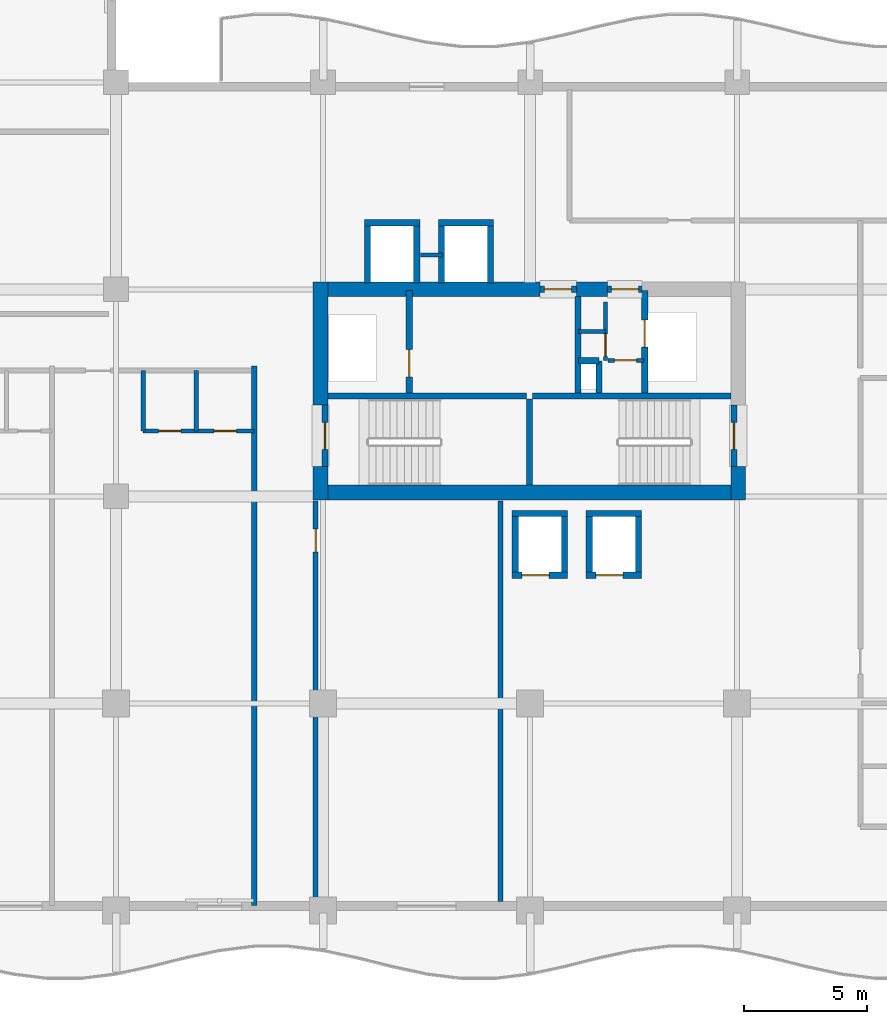
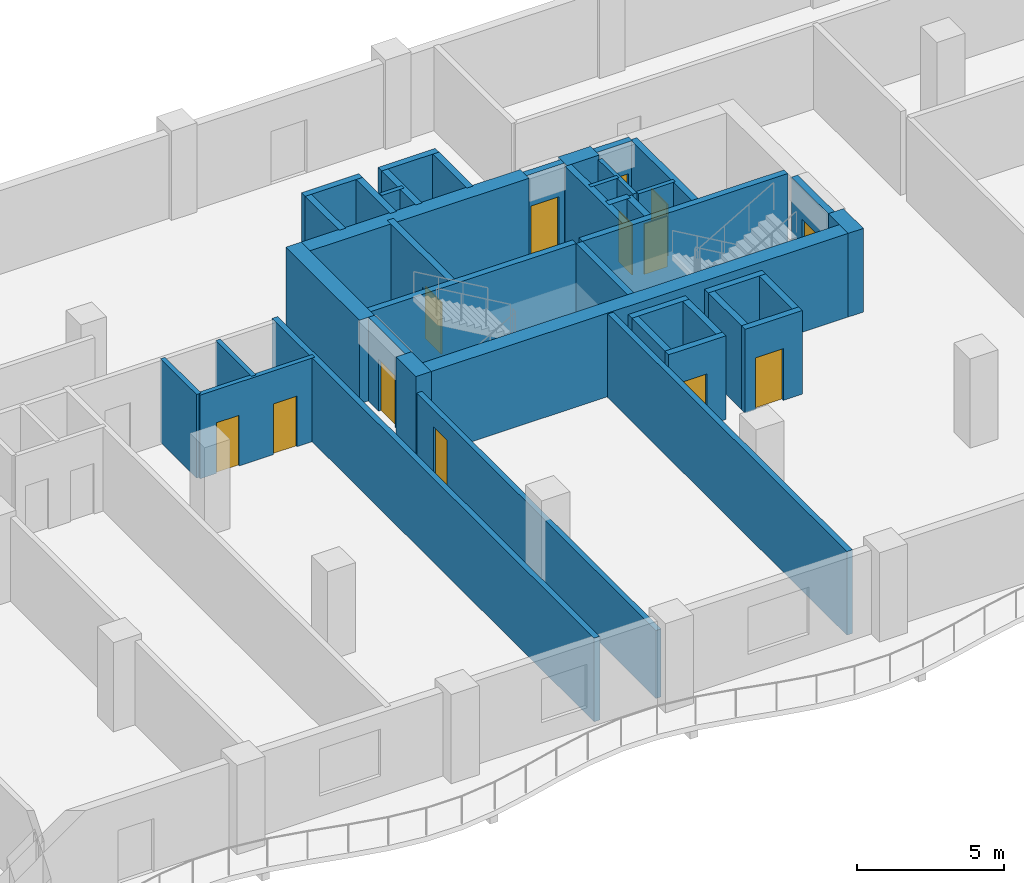
# One storey, part 5 of 15: 42 walls, 13 doors, 13 openings.
"""IFC4 building model written with IfcOpenShell, lengths in metres."""

from ifc_helpers import new_model, si_unit, direction, frame, frame_2d, origin, place, context, subcontext, project, spatial, rectangle, extrude, material, layer, layer_set, type_object, element, fill, save


model = new_model("IFC4")

# Units and contexts
model_context = context("Model", 3, precision=1e-05, world=origin(), true_north=direction((0.0, 1.0)))
body_context = subcontext(model_context, "Body", "Model", "MODEL_VIEW")
ifc_project = project(units=[si_unit("LENGTHUNIT", "METRE"), si_unit("AREAUNIT", "SQUARE_METRE"), si_unit("VOLUMEUNIT", "CUBIC_METRE"), si_unit("PLANEANGLEUNIT", "RADIAN"), si_unit("MASSUNIT", "GRAM", prefix="KILO")], contexts=[model_context])

# Site, building, storey
site_placement = place(None, origin())
site = spatial("IfcSite", under=ifc_project, at=site_placement, CompositionType="ELEMENT")
building_placement = place(site_placement, origin())
building = spatial("IfcBuilding", under=site, at=building_placement, Name="Koriwani Terraces Tower", CompositionType="ELEMENT")
storey_placement = place(building_placement, frame((0.0, 0.0, 193.89990234375)))
storey = spatial("IfcBuildingStorey", under=building, at=storey_placement, Name="L47", CompositionType="ELEMENT", Elevation=193.89990234375)

# Walls
ifc_material_1 = material(Name="Concrete C60/75", Category="concrete")
ifc_layer_1 = layer(ifc_material_1, 0.60009765625, Name="Concrete C60/75")
ifc_layer_set_1 = layer_set([ifc_layer_1], Name="Concrete C60/75")
wall_type_1 = type_object("IfcWallType", Name="WALL_CORE_RC_600", PredefinedType="SHEAR", material=ifc_layer_set_1)
wall_1_placement = place(storey_placement, frame((41.89990234375, 16.64990234375, 0.0), z_axis=(0.0, 0.0, 1.0), x_axis=(0.0, 1.0, 0.0)))
element("IfcWall", 1, at=wall_1_placement, inside=storey, type_object=wall_type_1, Name="L47 East Split Core Shear Wall W1", PredefinedType="SHEAR", context=body_context, shape_type="SweptSolid", body=[
    extrude(rectangle(XDim=1.35009765625, YDim=0.60009765625, at=frame_2d((0.675048828125, 0.0))), origin(), (0.0, 0.0, 1.0), 3.47021484375),
])
wall_2_placement = place(storey_placement, frame((41.89990234375, 20.5, 0.0), z_axis=(0.0, 0.0, 1.0), x_axis=(0.0, 1.0, 0.0)))
element("IfcWall", 2, at=wall_2_placement, inside=storey, type_object=wall_type_1, Name="L47 East Split Core Shear Wall W2", PredefinedType="SHEAR", context=body_context, shape_type="SweptSolid", body=[
    extrude(rectangle(XDim=5.0, YDim=0.60009765625, at=frame_2d((2.5, 0.0))), origin(), (0.0, 0.0, 1.0), 3.47021484375),
])
wall_3_placement = place(storey_placement, frame((58.85009765625, 16.64990234375, 0.0), z_axis=(0.0, 0.0, 1.0), x_axis=(0.0, 1.0, 0.0)))
element("IfcWall", 3, at=wall_3_placement, inside=storey, type_object=wall_type_1, Name="L47 East Split Core Shear Wall E1", PredefinedType="SHEAR", context=body_context, shape_type="SweptSolid", body=[
    extrude(rectangle(XDim=1.35009765625, YDim=0.60009765625, at=frame_2d((0.675048828125, 0.0))), origin(), (0.0, 0.0, 1.0), 3.47021484375),
])
wall_4_placement = place(storey_placement, frame((42.199951171875, 16.949951171875, 0.0), z_axis=(0.0, 0.0, 1.0), x_axis=(1.0, 0.0, 0.0)))
element("IfcWall", 4, at=wall_4_placement, inside=storey, type_object=wall_type_1, Name="L47 East Split Core Shear Wall S1", PredefinedType="SHEAR", context=body_context, shape_type="SweptSolid", body=[
    extrude(rectangle(XDim=16.35009765625, YDim=0.60009765625, at=frame_2d((8.175048828125, 0.0))), origin(), (0.0, 0.0, 1.0), 3.47021484375),
])
wall_5_placement = place(storey_placement, frame((42.199951171875, 25.199951171875, 0.0), z_axis=(0.0, 0.0, 1.0), x_axis=(1.0, 0.0, 0.0)))
element("IfcWall", 5, at=wall_5_placement, inside=storey, type_object=wall_type_1, Name="L47 East Split Core Shear Wall N1", PredefinedType="SHEAR", context=body_context, shape_type="SweptSolid", body=[
    extrude(rectangle(XDim=8.60009765625, YDim=0.60009765625, at=frame_2d((4.300048828125, 0.0))), origin(), (0.0, 0.0, 1.0), 3.47021484375),
])
wall_6_placement = place(storey_placement, frame((52.280029296875, 25.199951171875, 0.0), z_axis=(0.0, 0.0, 1.0), x_axis=(1.0, 0.0, 0.0)))
element("IfcWall", 6, at=wall_6_placement, inside=storey, type_object=wall_type_1, Name="L47 East Split Core Shear Wall N2", PredefinedType="SHEAR", context=body_context, shape_type="SweptSolid", body=[
    extrude(rectangle(XDim=1.27001953125, YDim=0.60009765625, at=frame_2d((0.635009765625, 0.0))), origin(), (0.0, 0.0, 1.0), 3.47021484375),
])

# Wall, opening, door
ifc_material_2 = material(Name="Autoclaved Cellular Concrete Blockwork", Category="masonry")
ifc_layer_2 = layer(ifc_material_2, 0.199951171875, Name="Autoclaved Cellular Concrete Blockwork")
ifc_layer_set_2 = layer_set([ifc_layer_2], Name="Autoclaved Cellular Concrete Blockwork")
wall_type_2 = type_object("IfcWallType", Name="WALL_CORRIDOR_200", PredefinedType="PARTITIONING", material=ifc_layer_set_2)
wall_7_placement = place(storey_placement, frame((41.699951171875, 0.35009765625, 0.0), z_axis=(0.0, 0.0, 1.0), x_axis=(0.0, 1.0, 0.0)))
wall_7 = element("IfcWall", 7, at=wall_7_placement, inside=storey, type_object=wall_type_2, Name="L47 Interior Wall WREC-EW-L47", PredefinedType="PARTITIONING", context=body_context, shape_type="SweptSolid", body=[
    extrude(rectangle(XDim=16.25, YDim=0.199951171875, at=frame_2d((8.125, 0.0))), origin(), (0.0, 0.0, 1.0), 2.820068359375),
])
opening_1_placement = place(wall_7_placement, frame((14.199951171875, 0.0, 0.0)))
opening_1 = element("IfcOpeningElement", 8, at=opening_1_placement, cuts=wall_7, Name="Opening D-06", PredefinedType="OPENING", context=body_context, shape_type="SweptSolid", body=[
    extrude(rectangle(XDim=0.919921875, YDim=2.10009765625, at=frame_2d((0.4599609375, 1.050048828125))), frame((0.0, 0.10986328125, 0.0), z_axis=(0.0, -1.0, 0.0), x_axis=(1.0, 0.0, 0.0)), (0.0, 0.0, 1.0), 0.219970703125),
])
ifc_material_3 = material(Name="Architectural Oak Fire Door", Category="wood")
door_type_1 = type_object("IfcDoorType", Name="DOOR_ROOM_INT_920X2100", OperationType="NOTDEFINED", PredefinedType="DOOR", material=ifc_material_3)
door_1_placement = place(opening_1_placement, origin())
door_1 = element("IfcDoor", 9, at=door_1_placement, inside=storey, type_object=door_type_1, Name="L47 Resident Co-Working Study Door", OperationType="SINGLE_SWING_RIGHT", OverallHeight=2.10009765625, OverallWidth=0.919921875, PredefinedType="DOOR", context=body_context, shape_type="SweptSolid", body=[
    extrude(rectangle(XDim=0.919921875, YDim=2.10009765625, at=frame_2d((0.4599609375, 1.050048828125))), frame((0.0, 0.02490234375, 0.0), z_axis=(0.0, -1.0, 0.0), x_axis=(1.0, 0.0, 0.0)), (0.0, 0.0, 1.0), 0.050048828125),
])
fill(opening_1, door_1)

# Walls
ifc_layer_3 = layer(ifc_material_2, 0.219970703125, Name="Autoclaved Cellular Concrete Blockwork")
ifc_layer_set_3 = layer_set([ifc_layer_3], Name="Autoclaved Cellular Concrete Blockwork")
wall_type_3 = type_object("IfcWallType", Name="WALL_DEMISING_220", PredefinedType="PARTITIONING", material=ifc_layer_set_3)
wall_8_placement = place(storey_placement, frame((49.199951171875, 0.35009765625, 0.0), z_axis=(0.0, 0.0, 1.0), x_axis=(0.0, 1.0, 0.0)))
element("IfcWall", 10, at=wall_8_placement, inside=storey, type_object=wall_type_3, Name="L47 Interior Wall WREC-EE-L47", PredefinedType="PARTITIONING", context=body_context, shape_type="SweptSolid", body=[
    extrude(rectangle(XDim=16.25, YDim=0.219970703125, at=frame_2d((8.125, 0.0))), origin(), (0.0, 0.0, 1.0), 3.47021484375),
])
wall_9_placement = place(storey_placement, frame((39.199951171875, 0.199951171875, 0.0), z_axis=(0.0, 0.0, 1.0), x_axis=(0.0, 1.0, 0.0)))
element("IfcWall", 11, at=wall_9_placement, inside=storey, type_object=wall_type_3, Name="L47 Interior Wall WRDEME-L47-SW", PredefinedType="PARTITIONING", context=body_context, shape_type="SweptSolid", body=[
    extrude(rectangle(XDim=21.880126953125, YDim=0.219970703125, at=frame_2d((10.93994140625, 0.0))), origin(), (0.0, 0.0, 1.0), 3.47021484375),
])

# Wall, openings, doors
ifc_material_4 = material(Name="Fire-Rated Acoustic Gypsum Partition", Category="masonry")
ifc_layer_4 = layer(ifc_material_4, 0.179931640625, Name="Fire-Rated Acoustic Gypsum Partition")
ifc_layer_set_4 = layer_set([ifc_layer_4], Name="Fire-Rated Acoustic Gypsum Partition")
wall_type_4 = type_object("IfcWallType", Name="WALL_PLUMBING_180", PredefinedType="PLUMBINGWALL", material=ifc_layer_set_4)
wall_10_placement = place(storey_placement, frame((34.699951171875, 19.449951171875, 0.0), z_axis=(0.0, 0.0, 1.0), x_axis=(1.0, 0.0, 0.0)))
wall_10 = element("IfcWall", 12, at=wall_10_placement, inside=storey, type_object=wall_type_4, Name="L47 Interior Wall WRSVC-L47-SW-4", PredefinedType="PLUMBINGWALL", context=body_context, shape_type="SweptSolid", body=[
    extrude(rectangle(XDim=4.5, YDim=0.179931640625, at=frame_2d((2.25, 0.0))), origin(), (0.0, 0.0, 1.0), 3.47021484375),
])
opening_2_placement = place(wall_10_placement, frame((0.6298828125, 0.0, 0.0)))
opening_2 = element("IfcOpeningElement", 13, at=opening_2_placement, cuts=wall_10, Name="Opening D-07", PredefinedType="OPENING", context=body_context, shape_type="SweptSolid", body=[
    extrude(rectangle(XDim=0.89990234375, YDim=2.10009765625, at=frame_2d((0.449951171875, 1.050048828125))), frame((0.0, 0.10009765625, 0.0), z_axis=(0.0, -1.0, 0.0), x_axis=(1.0, 0.0, 0.0)), (0.0, 0.0, 1.0), 0.199951171875),
])
opening_3_placement = place(wall_10_placement, frame((2.8701171875, 0.0, 0.0)))
opening_3 = element("IfcOpeningElement", 14, at=opening_3_placement, cuts=wall_10, Name="Opening D-06", PredefinedType="OPENING", context=body_context, shape_type="SweptSolid", body=[
    extrude(rectangle(XDim=0.919921875, YDim=2.10009765625, at=frame_2d((0.4599609375, 1.050048828125))), frame((0.0, 0.10009765625, 0.0), z_axis=(0.0, -1.0, 0.0), x_axis=(1.0, 0.0, 0.0)), (0.0, 0.0, 1.0), 0.199951171875),
])
door_type_2 = type_object("IfcDoorType", Name="DOOR_BATH_INT_900X2100", OperationType="NOTDEFINED", PredefinedType="DOOR", material=ifc_material_3)
door_2_placement = place(opening_2_placement, origin())
door_2 = element("IfcDoor", 15, at=door_2_placement, inside=storey, type_object=door_type_2, Name="Apartment 47SW5 Bathroom Door", OperationType="SINGLE_SWING_RIGHT", OverallHeight=2.10009765625, OverallWidth=0.89990234375, PredefinedType="DOOR", context=body_context, shape_type="SweptSolid", body=[
    extrude(rectangle(XDim=0.89990234375, YDim=2.10009765625, at=frame_2d((0.449951171875, 1.050048828125))), frame((0.0, 0.02490234375, 0.0), z_axis=(0.0, -1.0, 0.0), x_axis=(1.0, 0.0, 0.0)), (0.0, 0.0, 1.0), 0.050048828125),
])
fill(opening_2, door_2)
door_3_placement = place(opening_3_placement, origin())
door_3 = element("IfcDoor", 16, at=door_3_placement, inside=storey, type_object=door_type_1, Name="Apartment 47SW5 Kitchen Door", OperationType="SINGLE_SWING_LEFT", OverallHeight=2.10009765625, OverallWidth=0.919921875, PredefinedType="DOOR", context=body_context, shape_type="SweptSolid", body=[
    extrude(rectangle(XDim=0.919921875, YDim=2.10009765625, at=frame_2d((0.4599609375, 1.050048828125))), frame((0.0, 0.02490234375, 0.0), z_axis=(0.0, -1.0, 0.0), x_axis=(1.0, 0.0, 0.0)), (0.0, 0.0, 1.0), 0.050048828125),
])
fill(opening_3, door_3)

# Walls
for number, where, z_axis, x_axis, name in (
    (17, (34.699951171875, 19.449951171875, 0.0), (0.0, 0.0, 1.0), (0.0, 1.0, 0.0), "L47 Interior Wall WRSVCS-L47-SW-4"),
    (18, (36.860107421875, 19.449951171875, 0.0), (0.0, 0.0, 1.0), (0.0, 1.0, 0.0), "L47 Interior Wall WRSVCM-L47-SW-4"),
):
    element("IfcWall", number, at=place(storey_placement, frame(where, z_axis=z_axis, x_axis=x_axis)), inside=storey, type_object=wall_type_4, Name=name, PredefinedType="PLUMBINGWALL", context=body_context, shape_type="SweptSolid", body=[
        extrude(rectangle(XDim=2.449951171875, YDim=0.179931640625, at=frame_2d((1.22509765625, 0.0))), origin(), (0.0, 0.0, 1.0), 3.47021484375),
    ])
ifc_material_5 = material(Name="Concrete C40/50", Category="concrete")
ifc_layer_5 = layer(ifc_material_5, 0.25, Name="Concrete C40/50")
ifc_layer_set_5 = layer_set([ifc_layer_5], Name="Concrete C40/50")
wall_type_5 = type_object("IfcWallType", Name="WALL_SHAFT_RATED_250", PredefinedType="SOLIDWALL", material=ifc_layer_set_5)
for number, where, z_axis, x_axis, name in (
    (19, (42.199951171875, 20.875, 0.0), (0.0, 0.0, 1.0), (1.0, 0.0, 0.0), "L47 East Split Core Web Wall MID1"),
    (20, (50.5, 20.875, 0.0), (0.0, 0.0, 1.0), (1.0, 0.0, 0.0), "L47 East Split Core Web Wall MID2"),
):
    element("IfcWall", number, at=place(storey_placement, frame(where, z_axis=z_axis, x_axis=x_axis)), inside=storey, type_object=wall_type_5, Name=name, PredefinedType="SOLIDWALL", context=body_context, shape_type="SweptSolid", body=[
        extrude(rectangle(XDim=8.050048828125, YDim=0.25, at=frame_2d((4.02490234375, 0.0))), origin(), (0.0, 0.0, 1.0), 3.47021484375),
    ])
wall_11_placement = place(storey_placement, frame((50.375, 17.25, 0.0), z_axis=(0.0, 0.0, 1.0), x_axis=(0.0, 1.0, 0.0)))
element("IfcWall", 21, at=wall_11_placement, inside=storey, type_object=wall_type_5, Name="L47 East Split Core Stair Dividing Wall", PredefinedType="SOLIDWALL", context=body_context, shape_type="SweptSolid", body=[
    extrude(rectangle(XDim=3.5, YDim=0.25, at=frame_2d((1.75, 0.0))), origin(), (0.0, 0.0, 1.0), 3.47021484375),
])

# Wall, opening, door
wall_12_placement = place(storey_placement, frame((42.074951171875, 18.0, 0.0), z_axis=(0.0, 0.0, 1.0), x_axis=(0.0, 1.0, 0.0)))
wall_12 = element("IfcWall", 22, at=wall_12_placement, inside=storey, type_object=wall_type_5, Name="L47 Interior Wall WIN-CE-L47-STW", PredefinedType="SOLIDWALL", context=body_context, shape_type="SweptSolid", body=[
    extrude(rectangle(XDim=2.5, YDim=0.25, at=frame_2d((1.25, 0.0))), origin(), (0.0, 0.0, 1.0), 3.47021484375),
])
opening_4_placement = place(wall_12_placement, frame((0.699951171875, 0.0, 0.0)))
opening_4 = element("IfcOpeningElement", 23, at=opening_4_placement, cuts=wall_12, Name="Opening D-03", PredefinedType="OPENING", context=body_context, shape_type="SweptSolid", body=[
    extrude(rectangle(XDim=1.10009765625, YDim=2.14990234375, at=frame_2d((0.550048828125, 1.074951171875))), frame((0.0, 0.135009765625, 0.0), z_axis=(0.0, -1.0, 0.0), x_axis=(1.0, 0.0, 0.0)), (0.0, 0.0, 1.0), 0.27001953125),
])
ifc_material_6 = material(Name="Steel ASTM A572 Grade 50", Category="steel")
door_type_3 = type_object("IfcDoorType", Name="DOOR_STAIR_FIRE_1100X2150", OperationType="NOTDEFINED", PredefinedType="DOOR", material=ifc_material_6)
door_4_placement = place(opening_4_placement, origin())
door_4 = element("IfcDoor", 24, at=door_4_placement, inside=storey, type_object=door_type_3, Name="L47 Exit Stair ST-E1 Door", OperationType="SINGLE_SWING_RIGHT", OverallHeight=2.14990234375, OverallWidth=1.10009765625, PredefinedType="DOOR", context=body_context, shape_type="SweptSolid", body=[
    extrude(rectangle(XDim=1.10009765625, YDim=2.14990234375, at=frame_2d((0.550048828125, 1.074951171875))), frame((0.0, 0.02490234375, 0.0), z_axis=(0.0, -1.0, 0.0), x_axis=(1.0, 0.0, 0.0)), (0.0, 0.0, 1.0), 0.050048828125),
])
fill(opening_4, door_4)

wall_13_placement = place(storey_placement, frame((58.675048828125, 18.0, 0.0), z_axis=(0.0, 0.0, 1.0), x_axis=(0.0, 1.0, 0.0)))
wall_13 = element("IfcWall", 25, at=wall_13_placement, inside=storey, type_object=wall_type_5, Name="L47 Interior Wall WIN-CE-L47-STE", PredefinedType="SOLIDWALL", context=body_context, shape_type="SweptSolid", body=[
    extrude(rectangle(XDim=2.5, YDim=0.25, at=frame_2d((1.25, 0.0))), origin(), (0.0, 0.0, 1.0), 3.47021484375),
])
opening_5_placement = place(wall_13_placement, frame((0.699951171875, 0.0, 0.0)))
opening_5 = element("IfcOpeningElement", 26, at=opening_5_placement, cuts=wall_13, Name="Opening D-03", PredefinedType="OPENING", context=body_context, shape_type="SweptSolid", body=[
    extrude(rectangle(XDim=1.10009765625, YDim=2.14990234375, at=frame_2d((0.550048828125, 1.074951171875))), frame((0.0, 0.135009765625, 0.0), z_axis=(0.0, -1.0, 0.0), x_axis=(1.0, 0.0, 0.0)), (0.0, 0.0, 1.0), 0.27001953125),
])
door_5_placement = place(opening_5_placement, origin())
door_5 = element("IfcDoor", 27, at=door_5_placement, inside=storey, type_object=door_type_3, Name="L47 Exit Stair ST-E2 Door", OperationType="SINGLE_SWING_LEFT", OverallHeight=2.14990234375, OverallWidth=1.10009765625, PredefinedType="DOOR", context=body_context, shape_type="SweptSolid", body=[
    extrude(rectangle(XDim=1.10009765625, YDim=2.14990234375, at=frame_2d((0.550048828125, 1.074951171875))), frame((0.0, 0.02490234375, 0.0), z_axis=(0.0, -1.0, 0.0), x_axis=(1.0, 0.0, 0.0)), (0.0, 0.0, 1.0), 0.050048828125),
])
fill(opening_5, door_5)

wall_14_placement = place(storey_placement, frame((45.5, 21.0, 0.0), z_axis=(0.0, 0.0, 1.0), x_axis=(0.0, 1.0, 0.0)))
wall_14 = element("IfcWall", 28, at=wall_14_placement, inside=storey, type_object=wall_type_5, Name="L47 Interior Wall WIN-CE-L47-FE", PredefinedType="SOLIDWALL", context=body_context, shape_type="SweptSolid", body=[
    extrude(rectangle(XDim=4.14990234375, YDim=0.25, at=frame_2d((2.074951171875, 0.0))), origin(), (0.0, 0.0, 1.0), 3.47021484375),
])
opening_6_placement = place(wall_14_placement, frame((0.64990234375, 0.0, 0.0)))
opening_6 = element("IfcOpeningElement", 29, at=opening_6_placement, cuts=wall_14, Name="Opening LD-01", PredefinedType="OPENING", context=body_context, shape_type="SweptSolid", body=[
    extrude(rectangle(XDim=1.10009765625, YDim=2.14990234375, at=frame_2d((0.550048828125, 1.074951171875))), frame((0.0, 0.135009765625, 0.0), z_axis=(0.0, -1.0, 0.0), x_axis=(1.0, 0.0, 0.0)), (0.0, 0.0, 1.0), 0.27001953125),
])
door_type_4 = type_object("IfcDoorType", Name="DOOR_LIFT_LANDING_1100X2200", OperationType="NOTDEFINED", PredefinedType="DOOR", material=ifc_material_6)
door_6_placement = place(opening_6_placement, origin())
door_6 = element("IfcDoor", 30, at=door_6_placement, inside=storey, type_object=door_type_4, Name="L47 Firefighting Lift FE-02 Landing Door", OperationType="SLIDING_TO_LEFT", OverallHeight=2.14990234375, OverallWidth=1.10009765625, PredefinedType="DOOR", context=body_context, shape_type="SweptSolid", body=[
    extrude(rectangle(XDim=1.10009765625, YDim=2.14990234375, at=frame_2d((0.550048828125, 1.074951171875))), frame((0.0, 0.02490234375, 0.0), z_axis=(0.0, -1.0, 0.0), x_axis=(1.0, 0.0, 0.0)), (0.0, 0.0, 1.0), 0.050048828125),
])
fill(opening_6, door_6)

wall_15_placement = place(storey_placement, frame((50.800048828125, 25.199951171875, 0.0), z_axis=(0.0, 0.0, 1.0), x_axis=(1.0, 0.0, 0.0)))
wall_15 = element("IfcWall", 31, at=wall_15_placement, inside=storey, type_object=wall_type_5, Name="L47 Interior Wall WIN-CE-L47-NP", PredefinedType="SOLIDWALL", context=body_context, shape_type="SweptSolid", body=[
    extrude(rectangle(XDim=1.47998046875, YDim=0.25, at=frame_2d((0.739990234375, 0.0))), origin(), (0.0, 0.0, 1.0), 3.47021484375),
])
opening_7_placement = place(wall_15_placement, frame((0.179931640625, 0.0, 0.0)))
opening_7 = element("IfcOpeningElement", 32, at=opening_7_placement, cuts=wall_15, Name="Opening D-03", PredefinedType="OPENING", context=body_context, shape_type="SweptSolid", body=[
    extrude(rectangle(XDim=1.10009765625, YDim=2.14990234375, at=frame_2d((0.550048828125, 1.074951171875))), frame((0.0, 0.135009765625, 0.0), z_axis=(0.0, -1.0, 0.0), x_axis=(1.0, 0.0, 0.0)), (0.0, 0.0, 1.0), 0.27001953125),
])
door_7_placement = place(opening_7_placement, origin())
door_7 = element("IfcDoor", 33, at=door_7_placement, inside=storey, type_object=door_type_3, Name="L47 East Firefighting Lobby Door", OperationType="SINGLE_SWING_RIGHT", OverallHeight=2.14990234375, OverallWidth=1.10009765625, PredefinedType="DOOR", context=body_context, shape_type="SweptSolid", body=[
    extrude(rectangle(XDim=1.10009765625, YDim=2.14990234375, at=frame_2d((0.550048828125, 1.074951171875))), frame((0.0, 0.02490234375, 0.0), z_axis=(0.0, -1.0, 0.0), x_axis=(1.0, 0.0, 0.0)), (0.0, 0.0, 1.0), 0.050048828125),
])
fill(opening_7, door_7)

# Wall
wall_16_placement = place(storey_placement, frame((52.340087890625, 21.0, 0.0), z_axis=(0.0, 0.0, 1.0), x_axis=(0.0, 1.0, 0.0)))
element("IfcWall", 34, at=wall_16_placement, inside=storey, type_object=wall_type_5, Name="L47 Interior Wall WIN-CE-L47-FFE", PredefinedType="SOLIDWALL", context=body_context, shape_type="SweptSolid", body=[
    extrude(rectangle(XDim=3.89990234375, YDim=0.25, at=frame_2d((1.949951171875, 0.0))), origin(), (0.0, 0.0, 1.0), 3.47021484375),
])

# Wall, opening, door
wall_17_placement = place(storey_placement, frame((55.050048828125, 21.0, 0.0), z_axis=(0.0, 0.0, 1.0), x_axis=(0.0, 1.0, 0.0)))
wall_17 = element("IfcWall", 35, at=wall_17_placement, inside=storey, type_object=wall_type_5, Name="L47 Interior Wall WIN-CE-L47-SE", PredefinedType="SOLIDWALL", context=body_context, shape_type="SweptSolid", body=[
    extrude(rectangle(XDim=4.14990234375, YDim=0.25, at=frame_2d((2.074951171875, 0.0))), origin(), (0.0, 0.0, 1.0), 3.47021484375),
])
opening_8_placement = place(wall_17_placement, frame((1.85009765625, 0.0, 0.0)))
opening_8 = element("IfcOpeningElement", 36, at=opening_8_placement, cuts=wall_17, Name="Opening LD-01", PredefinedType="OPENING", context=body_context, shape_type="SweptSolid", body=[
    extrude(rectangle(XDim=1.10009765625, YDim=2.14990234375, at=frame_2d((0.550048828125, 1.074951171875))), frame((0.0, 0.135009765625, 0.0), z_axis=(0.0, -1.0, 0.0), x_axis=(1.0, 0.0, 0.0)), (0.0, 0.0, 1.0), 0.27001953125),
])
door_8_placement = place(opening_8_placement, origin())
door_8 = element("IfcDoor", 37, at=door_8_placement, inside=storey, type_object=door_type_4, Name="L47 Goods Lift SE-02 Landing Door", OperationType="SLIDING_TO_LEFT", OverallHeight=2.14990234375, OverallWidth=1.10009765625, PredefinedType="DOOR", context=body_context, shape_type="SweptSolid", body=[
    extrude(rectangle(XDim=1.10009765625, YDim=2.14990234375, at=frame_2d((0.550048828125, 1.074951171875))), frame((0.0, 0.02490234375, 0.0), z_axis=(0.0, -1.0, 0.0), x_axis=(1.0, 0.0, 0.0)), (0.0, 0.0, 1.0), 0.050048828125),
])
fill(opening_8, door_8)

wall_18_placement = place(storey_placement, frame((53.550048828125, 25.199951171875, 0.0), z_axis=(0.0, 0.0, 1.0), x_axis=(1.0, 0.0, 0.0)))
wall_18 = element("IfcWall", 38, at=wall_18_placement, inside=storey, type_object=wall_type_5, Name="L47 Interior Wall WIN-CE-L47-NP2", PredefinedType="SOLIDWALL", context=body_context, shape_type="SweptSolid", body=[
    extrude(rectangle(XDim=1.39990234375, YDim=0.25, at=frame_2d((0.699951171875, 0.0))), origin(), (0.0, 0.0, 1.0), 3.47021484375),
])
opening_9_placement = place(wall_18_placement, frame((0.14990234375, 0.0, 0.0)))
opening_9 = element("IfcOpeningElement", 39, at=opening_9_placement, cuts=wall_18, Name="Opening D-03", PredefinedType="OPENING", context=body_context, shape_type="SweptSolid", body=[
    extrude(rectangle(XDim=1.10009765625, YDim=2.14990234375, at=frame_2d((0.550048828125, 1.074951171875))), frame((0.0, 0.135009765625, 0.0), z_axis=(0.0, -1.0, 0.0), x_axis=(1.0, 0.0, 0.0)), (0.0, 0.0, 1.0), 0.27001953125),
])
door_9_placement = place(opening_9_placement, origin())
door_9 = element("IfcDoor", 40, at=door_9_placement, inside=storey, type_object=door_type_3, Name="L47 East Goods Lift Lobby Door", OperationType="SINGLE_SWING_LEFT", OverallHeight=2.14990234375, OverallWidth=1.10009765625, PredefinedType="DOOR", context=body_context, shape_type="SweptSolid", body=[
    extrude(rectangle(XDim=1.10009765625, YDim=2.14990234375, at=frame_2d((0.550048828125, 1.074951171875))), frame((0.0, 0.02490234375, 0.0), z_axis=(0.0, -1.0, 0.0), x_axis=(1.0, 0.0, 0.0)), (0.0, 0.0, 1.0), 0.050048828125),
])
fill(opening_9, door_9)

# Walls
wall_19_placement = place(storey_placement, frame((53.199951171875, 21.0, 0.0), z_axis=(0.0, 0.0, 1.0), x_axis=(0.0, 1.0, 0.0)))
element("IfcWall", 41, at=wall_19_placement, inside=storey, type_object=wall_type_5, Name="L47 Interior Wall WIN-CE-L47-RS1", PredefinedType="SOLIDWALL", context=body_context, shape_type="SweptSolid", body=[
    extrude(rectangle(XDim=1.300048828125, YDim=0.25, at=frame_2d((0.64990234375, 0.0))), origin(), (0.0, 0.0, 1.0), 3.47021484375),
])
wall_20_placement = place(storey_placement, frame((52.360107421875, 22.300048828125, 0.0), z_axis=(0.0, 0.0, 1.0), x_axis=(1.0, 0.0, 0.0)))
element("IfcWall", 42, at=wall_20_placement, inside=storey, type_object=wall_type_5, Name="L47 Interior Wall WIN-CE-L47-RS2", PredefinedType="SOLIDWALL", context=body_context, shape_type="SweptSolid", body=[
    extrude(rectangle(XDim=0.83984375, YDim=0.25, at=frame_2d((0.419921875, 0.0))), origin(), (0.0, 0.0, 1.0), 3.47021484375),
])

# Wall, opening, door
wall_21_placement = place(storey_placement, frame((49.675048828125, 13.60009765625, 0.0), z_axis=(0.0, 0.0, 1.0), x_axis=(1.0, 0.0, 0.0)))
wall_21 = element("IfcWall", 43, at=wall_21_placement, inside=storey, type_object=wall_type_5, Name="L47 Interior Wall WIN-LF-PE-M3-L47-F", PredefinedType="SOLIDWALL", context=body_context, shape_type="SweptSolid", body=[
    extrude(rectangle(XDim=2.25, YDim=0.25, at=frame_2d((1.125, 0.0))), origin(), (0.0, 0.0, 1.0), 3.47021484375),
])
opening_10_placement = place(wall_21_placement, frame((0.39990234375, 0.0, 0.0)))
opening_10 = element("IfcOpeningElement", 44, at=opening_10_placement, cuts=wall_21, Name="Opening LD-01", PredefinedType="OPENING", context=body_context, shape_type="SweptSolid", body=[
    extrude(rectangle(XDim=1.10009765625, YDim=2.14990234375, at=frame_2d((0.550048828125, 1.074951171875))), frame((0.0, 0.135009765625, 0.0), z_axis=(0.0, -1.0, 0.0), x_axis=(1.0, 0.0, 0.0)), (0.0, 0.0, 1.0), 0.27001953125),
])
door_10_placement = place(opening_10_placement, origin())
door_10 = element("IfcDoor", 45, at=door_10_placement, inside=storey, type_object=door_type_4, Name="L47 Passenger Lift PE-M3 Landing Door", OperationType="SLIDING_TO_LEFT", OverallHeight=2.14990234375, OverallWidth=1.10009765625, PredefinedType="DOOR", context=body_context, shape_type="SweptSolid", body=[
    extrude(rectangle(XDim=1.10009765625, YDim=2.14990234375, at=frame_2d((0.550048828125, 1.074951171875))), frame((0.0, 0.02490234375, 0.0), z_axis=(0.0, -1.0, 0.0), x_axis=(1.0, 0.0, 0.0)), (0.0, 0.0, 1.0), 0.050048828125),
])
fill(opening_10, door_10)

# Walls
for number, where, z_axis, x_axis, name in (
    (46, (49.675048828125, 16.10009765625, 0.0), (0.0, 0.0, 1.0), (1.0, 0.0, 0.0), "L47 Interior Wall WIN-LF-PE-M3-L47-B"),
    (47, (49.800048828125, 13.72509765625, 0.0), (0.0, 0.0, 1.0), (0.0, 1.0, 0.0), "L47 Interior Wall WIN-LF-PE-M3-L47-W"),
    (48, (51.800048828125, 13.72509765625, 0.0), (0.0, 0.0, 1.0), (0.0, 1.0, 0.0), "L47 Interior Wall WIN-LF-PE-M3-L47-E"),
):
    element("IfcWall", number, at=place(storey_placement, frame(where, z_axis=z_axis, x_axis=x_axis)), inside=storey, type_object=wall_type_5, Name=name, PredefinedType="SOLIDWALL", context=body_context, shape_type="SweptSolid", body=[
        extrude(rectangle(XDim=2.25, YDim=0.25, at=frame_2d((1.125, 0.0))), origin(), (0.0, 0.0, 1.0), 3.47021484375),
    ])

# Wall, opening, door
wall_22_placement = place(storey_placement, frame((52.675048828125, 13.60009765625, 0.0), z_axis=(0.0, 0.0, 1.0), x_axis=(1.0, 0.0, 0.0)))
wall_22 = element("IfcWall", 49, at=wall_22_placement, inside=storey, type_object=wall_type_5, Name="L47 Interior Wall WIN-LF-PE-M4-L47-F", PredefinedType="SOLIDWALL", context=body_context, shape_type="SweptSolid", body=[
    extrude(rectangle(XDim=2.25, YDim=0.25, at=frame_2d((1.125, 0.0))), origin(), (0.0, 0.0, 1.0), 3.47021484375),
])
opening_11_placement = place(wall_22_placement, frame((0.39990234375, 0.0, 0.0)))
opening_11 = element("IfcOpeningElement", 50, at=opening_11_placement, cuts=wall_22, Name="Opening LD-01", PredefinedType="OPENING", context=body_context, shape_type="SweptSolid", body=[
    extrude(rectangle(XDim=1.10009765625, YDim=2.14990234375, at=frame_2d((0.550048828125, 1.074951171875))), frame((0.0, 0.135009765625, 0.0), z_axis=(0.0, -1.0, 0.0), x_axis=(1.0, 0.0, 0.0)), (0.0, 0.0, 1.0), 0.27001953125),
])
door_11_placement = place(opening_11_placement, origin())
door_11 = element("IfcDoor", 51, at=door_11_placement, inside=storey, type_object=door_type_4, Name="L47 Passenger Lift PE-M4 Landing Door", OperationType="SLIDING_TO_LEFT", OverallHeight=2.14990234375, OverallWidth=1.10009765625, PredefinedType="DOOR", context=body_context, shape_type="SweptSolid", body=[
    extrude(rectangle(XDim=1.10009765625, YDim=2.14990234375, at=frame_2d((0.550048828125, 1.074951171875))), frame((0.0, 0.02490234375, 0.0), z_axis=(0.0, -1.0, 0.0), x_axis=(1.0, 0.0, 0.0)), (0.0, 0.0, 1.0), 0.050048828125),
])
fill(opening_11, door_11)

# Walls
for number, where, z_axis, x_axis, name in (
    (52, (52.675048828125, 16.10009765625, 0.0), (0.0, 0.0, 1.0), (1.0, 0.0, 0.0), "L47 Interior Wall WIN-LF-PE-M4-L47-B"),
    (53, (52.800048828125, 13.72509765625, 0.0), (0.0, 0.0, 1.0), (0.0, 1.0, 0.0), "L47 Interior Wall WIN-LF-PE-M4-L47-W"),
    (54, (54.800048828125, 13.72509765625, 0.0), (0.0, 0.0, 1.0), (0.0, 1.0, 0.0), "L47 Interior Wall WIN-LF-PE-M4-L47-E"),
    (55, (43.675048828125, 27.89990234375, 0.0), (0.0, 0.0, 1.0), (1.0, 0.0, 0.0), "L47 Interior Wall WIN-LF-PE-H3-L47-F"),
):
    element("IfcWall", number, at=place(storey_placement, frame(where, z_axis=z_axis, x_axis=x_axis)), inside=storey, type_object=wall_type_5, Name=name, PredefinedType="SOLIDWALL", context=body_context, shape_type="SweptSolid", body=[
        extrude(rectangle(XDim=2.25, YDim=0.25, at=frame_2d((1.125, 0.0))), origin(), (0.0, 0.0, 1.0), 3.47021484375),
    ])
for number, where, z_axis, x_axis, name in (
    (56, (43.800048828125, 25.449951171875, 0.0), (0.0, 0.0, 1.0), (0.0, 1.0, 0.0), "L47 Interior Wall WIN-LF-PE-H3-L47-W"),
    (57, (45.800048828125, 25.449951171875, 0.0), (0.0, 0.0, 1.0), (0.0, 1.0, 0.0), "L47 Interior Wall WIN-LF-PE-H3-L47-E"),
):
    element("IfcWall", number, at=place(storey_placement, frame(where, z_axis=z_axis, x_axis=x_axis)), inside=storey, type_object=wall_type_5, Name=name, PredefinedType="SOLIDWALL", context=body_context, shape_type="SweptSolid", body=[
        extrude(rectangle(XDim=2.324951171875, YDim=0.25, at=frame_2d((1.16259765625, 0.0))), origin(), (0.0, 0.0, 1.0), 3.47021484375),
    ])
wall_23_placement = place(storey_placement, frame((46.675048828125, 27.89990234375, 0.0), z_axis=(0.0, 0.0, 1.0), x_axis=(1.0, 0.0, 0.0)))
element("IfcWall", 58, at=wall_23_placement, inside=storey, type_object=wall_type_5, Name="L47 Interior Wall WIN-LF-PE-H4-L47-F", PredefinedType="SOLIDWALL", context=body_context, shape_type="SweptSolid", body=[
    extrude(rectangle(XDim=2.25, YDim=0.25, at=frame_2d((1.125, 0.0))), origin(), (0.0, 0.0, 1.0), 3.47021484375),
])
for number, where, z_axis, x_axis, name in (
    (59, (46.800048828125, 25.449951171875, 0.0), (0.0, 0.0, 1.0), (0.0, 1.0, 0.0), "L47 Interior Wall WIN-LF-PE-H4-L47-W"),
    (60, (48.800048828125, 25.449951171875, 0.0), (0.0, 0.0, 1.0), (0.0, 1.0, 0.0), "L47 Interior Wall WIN-LF-PE-H4-L47-E"),
):
    element("IfcWall", number, at=place(storey_placement, frame(where, z_axis=z_axis, x_axis=x_axis)), inside=storey, type_object=wall_type_5, Name=name, PredefinedType="SOLIDWALL", context=body_context, shape_type="SweptSolid", body=[
        extrude(rectangle(XDim=2.324951171875, YDim=0.25, at=frame_2d((1.16259765625, 0.0))), origin(), (0.0, 0.0, 1.0), 3.47021484375),
    ])

# Wall, opening, door
ifc_layer_6 = layer(ifc_material_4, 0.159912109375, Name="Fire-Rated Acoustic Gypsum Partition")
ifc_layer_set_6 = layer_set([ifc_layer_6], Name="Fire-Rated Acoustic Gypsum Partition")
wall_type_6 = type_object("IfcWallType", Name="WALL_SUITE_160", PredefinedType="PARTITIONING", material=ifc_layer_set_6)
wall_24_placement = place(storey_placement, frame((53.56005859375, 22.320068359375, 0.0), z_axis=(0.0, 0.0, 1.0), x_axis=(1.0, 0.0, 0.0)))
wall_24 = element("IfcWall", 61, at=wall_24_placement, inside=storey, type_object=wall_type_6, Name="L47 Interior Wall WIN-CE-L47-SV2A", PredefinedType="PARTITIONING", context=body_context, shape_type="SweptSolid", body=[
    extrude(rectangle(XDim=1.43994140625, YDim=0.159912109375, at=frame_2d((0.719970703125, 0.0))), origin(), (0.0, 0.0, 1.0), 3.47021484375),
])
opening_12_placement = place(wall_24_placement, frame((0.260009765625, 0.0, 0.0)))
opening_12 = element("IfcOpeningElement", 62, at=opening_12_placement, cuts=wall_24, Name="Opening D-07", PredefinedType="OPENING", context=body_context, shape_type="SweptSolid", body=[
    extrude(rectangle(XDim=0.89990234375, YDim=2.10009765625, at=frame_2d((0.449951171875, 1.050048828125))), frame((0.0, 0.08984375, 0.0), z_axis=(0.0, -1.0, 0.0), x_axis=(1.0, 0.0, 0.0)), (0.0, 0.0, 1.0), 0.179931640625),
])
door_12_placement = place(opening_12_placement, origin())
door_12 = element("IfcDoor", 63, at=door_12_placement, inside=storey, type_object=door_type_2, Name="L47 East Meter Room Door", OperationType="SINGLE_SWING_RIGHT", OverallHeight=2.10009765625, OverallWidth=0.89990234375, PredefinedType="DOOR", context=body_context, shape_type="SweptSolid", body=[
    extrude(rectangle(XDim=0.89990234375, YDim=2.10009765625, at=frame_2d((0.449951171875, 1.050048828125))), frame((0.0, 0.02490234375, 0.0), z_axis=(0.0, -1.0, 0.0), x_axis=(1.0, 0.0, 0.0)), (0.0, 0.0, 1.0), 0.050048828125),
])
fill(opening_12, door_12)

wall_25_placement = place(storey_placement, frame((53.4599609375, 22.320068359375, 0.0), z_axis=(0.0, 0.0, 1.0), x_axis=(0.0, 1.0, 0.0)))
wall_25 = element("IfcWall", 64, at=wall_25_placement, inside=storey, type_object=wall_type_6, Name="L47 Interior Wall WIN-CE-L47-SV2H", PredefinedType="PARTITIONING", context=body_context, shape_type="SweptSolid", body=[
    extrude(rectangle(XDim=2.35986328125, YDim=0.159912109375, at=frame_2d((1.179931640625, 0.0))), origin(), (0.0, 0.0, 1.0), 3.47021484375),
])
opening_13_placement = place(wall_25_placement, frame((0.159912109375, 0.0, 0.0)))
opening_13 = element("IfcOpeningElement", 65, at=opening_13_placement, cuts=wall_25, Name="Opening D-07", PredefinedType="OPENING", context=body_context, shape_type="SweptSolid", body=[
    extrude(rectangle(XDim=0.89990234375, YDim=2.10009765625, at=frame_2d((0.449951171875, 1.050048828125))), frame((0.0, 0.08984375, 0.0), z_axis=(0.0, -1.0, 0.0), x_axis=(1.0, 0.0, 0.0)), (0.0, 0.0, 1.0), 0.179931640625),
])
door_13_placement = place(opening_13_placement, origin())
door_13 = element("IfcDoor", 66, at=door_13_placement, inside=storey, type_object=door_type_2, Name="L47 East Valve Room Door", OperationType="SINGLE_SWING_LEFT", OverallHeight=2.10009765625, OverallWidth=0.89990234375, PredefinedType="DOOR", context=body_context, shape_type="SweptSolid", body=[
    extrude(rectangle(XDim=0.89990234375, YDim=2.10009765625, at=frame_2d((0.449951171875, 1.050048828125))), frame((0.0, 0.02490234375, 0.0), z_axis=(0.0, -1.0, 0.0), x_axis=(1.0, 0.0, 0.0)), (0.0, 0.0, 1.0), 0.050048828125),
])
fill(opening_13, door_13)

# Walls
wall_26_placement = place(storey_placement, frame((52.360107421875, 23.47998046875, 0.0), z_axis=(0.0, 0.0, 1.0), x_axis=(1.0, 0.0, 0.0)))
element("IfcWall", 67, at=wall_26_placement, inside=storey, type_object=wall_type_6, Name="L47 Interior Wall WIN-CE-L47-SV2V", PredefinedType="PARTITIONING", context=body_context, shape_type="SweptSolid", body=[
    extrude(rectangle(XDim=1.099853515625, YDim=0.159912109375, at=frame_2d((0.5498046875, 0.0))), origin(), (0.0, 0.0, 1.0), 3.47021484375),
])
wall_27_placement = place(storey_placement, frame((45.9599609375, 26.60009765625, 0.0), z_axis=(0.0, 0.0, 1.0), x_axis=(1.0, 0.0, 0.0)))
element("IfcWall", 68, at=wall_27_placement, inside=storey, type_object=wall_type_6, Name="L47 Interior Wall WIN-LF-PEH34-MID-L47", PredefinedType="PARTITIONING", context=body_context, shape_type="SweptSolid", body=[
    extrude(rectangle(XDim=0.880126953125, YDim=0.159912109375, at=frame_2d((0.43994140625, 0.0))), origin(), (0.0, 0.0, 1.0), 3.47021484375),
])

save(model, "model.ifc")
